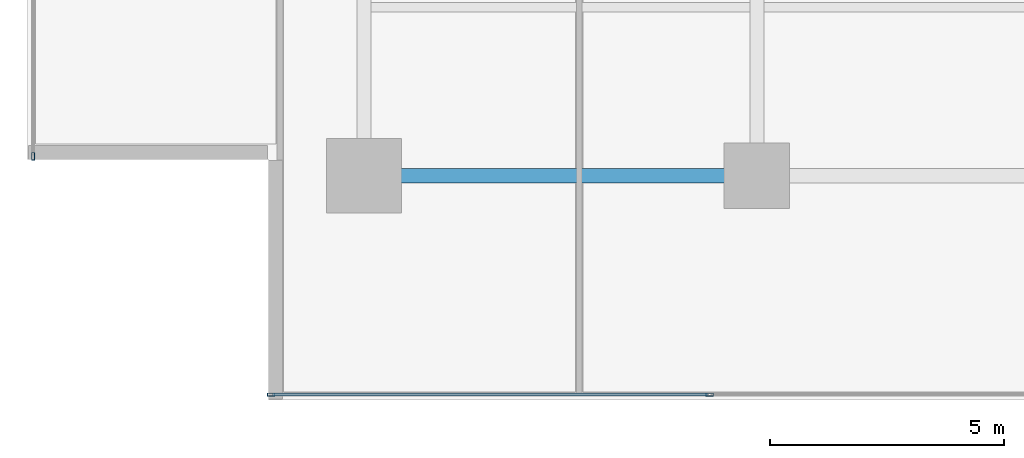
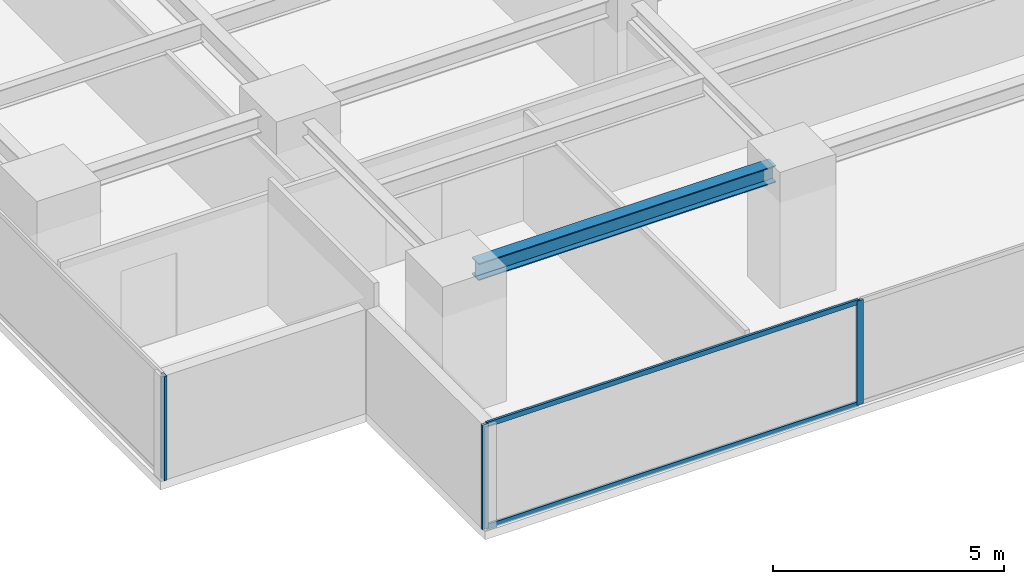
# One storey, part 2 of 28: 5 members, 1 beam, 2 elements without a shape of their own.
"""IFC4 building model written with IfcOpenShell, lengths in metres."""

from ifc_helpers import new_model, si_unit, direction, frame, origin, origin_2d, place, context, subcontext, project, spatial, hollow_rectangle, i_section, extrude, source, transform, mapped, material, layer, layer_set, material_profile, profile_set, type_object, element, aggregate, save


model = new_model("IFC4")

# Units and contexts
model_context = context("Model", 3, precision=1e-05, world=origin(), true_north=direction((0.0, 1.0)))
body_context = subcontext(model_context, "Body", "Model", "MODEL_VIEW")
ifc_project = project(units=[si_unit("LENGTHUNIT", "METRE"), si_unit("AREAUNIT", "SQUARE_METRE"), si_unit("VOLUMEUNIT", "CUBIC_METRE"), si_unit("PLANEANGLEUNIT", "RADIAN"), si_unit("MASSUNIT", "GRAM", prefix="KILO")], contexts=[model_context])

# Site, building, storey
site_placement = place(None, origin())
site = spatial("IfcSite", under=ifc_project, at=site_placement, CompositionType="ELEMENT")
building_placement = place(site_placement, origin())
building = spatial("IfcBuilding", under=site, at=building_placement, Name="Sumidabori Civic Tower", CompositionType="ELEMENT")
storey_placement = place(building_placement, frame((0.0, 0.0, 178.39990234375)))
storey = spatial("IfcBuildingStorey", under=building, at=storey_placement, Name="L46", CompositionType="ELEMENT", Elevation=178.39990234375)

# Beam
ifc_material_1 = material(Name="Steel SN490", Category="steel")
ifc_material_profile_1 = material_profile(ifc_material_1, i_section(OverallWidth=0.300048828125, OverallDepth=0.449951171875, WebThickness=0.013916015625, FlangeThickness=0.02587890625, at=origin_2d()), Name="HE 450 B")
ifc_profile_set_1 = profile_set([ifc_material_profile_1], Name="Steel SN490")
beam_type = type_object("IfcBeamType", Name="BM-GIRD-450", PredefinedType="BEAM", material=ifc_profile_set_1)
shared_shape_1 = source(origin(), body_context, "Body", "SweptSolid", [
    extrude(i_section(OverallWidth=0.300048828125, OverallDepth=0.449951171875, WebThickness=0.013916015625, FlangeThickness=0.02587890625, at=origin_2d()), origin(), (0.0, 0.0, 1.0), 7.440185546875),
])
beam_placement = place(storey_placement, frame((-16.320068359375, -18.0, 3.155029296875), z_axis=(1.0, 0.0, 0.0), x_axis=(0.0, 1.0, 0.0)))
element("IfcBeam", 1, at=beam_placement, inside=storey, type_object=beam_type, Name="Primary Girder L46 GX-01", PredefinedType="BEAM", context=body_context, shape_type="MappedRepresentation", body=[
    mapped(shared_shape_1, transform((0.0, 0.0, 0.0), x_axis=(1.0, 0.0, 0.0), y_axis=(0.0, 1.0, 0.0), z_axis=(0.0, 0.0, 1.0), scale=1.0)),
])

# Curtain wall, members
ifc_material_2 = material(Name="Anodised Bronze Aluminium AW-6063-T6", Category="aluminium")
ifc_layer = layer(ifc_material_2, 0.179931640625, Name="Anodised Bronze Aluminium AW-6063-T6")
ifc_layer_set = layer_set([ifc_layer], Name="Anodised Bronze Aluminium AW-6063-T6")
curtain_wall_type = type_object("IfcCurtainWallType", Name="CW-SYS-3", PredefinedType="NOTDEFINED", material=ifc_layer_set)
curtain_wall_1_placement = place(storey_placement, origin())
curtain_wall_1 = element("IfcCurtainWall", 2, at=curtain_wall_1_placement, inside=storey, type_object=curtain_wall_type, Name="Curtain Wall CW:L46:R01", PredefinedType="NOTDEFINED")
ifc_material_profile_2 = material_profile(ifc_material_2, hollow_rectangle(XDim=0.06494140625, YDim=0.159912109375, WallThickness=0.0048828125, at=origin_2d()), Name="ALU MULLION 160x65")
ifc_profile_set_2 = profile_set([ifc_material_profile_2], Name="Anodised Bronze Aluminium AW-6063-T6")
member_type_1 = type_object("IfcMemberType", Name="CW-MUL-160", PredefinedType="MULLION", material=ifc_profile_set_2)
shared_shape_2 = source(origin(), body_context, "Body", "SweptSolid", [
    extrude(hollow_rectangle(XDim=0.06494140625, YDim=0.159912109375, WallThickness=0.0048828125, at=origin_2d()), origin(), (0.0, 0.0, 1.0), 2.760009765625),
])
member_1_placement = place(storey_placement, frame((-18.78759765625, -22.679931640625, 0.0), z_axis=(0.0, 0.0, 1.0), x_axis=(0.0, 1.0, 0.0)))
member_1 = element("IfcMember", 3, at=member_1_placement, type_object=member_type_1, Name="CW-3 mullion 1", PredefinedType="MULLION", context=body_context, shape_type="MappedRepresentation", body=[
    mapped(shared_shape_2, transform((0.0, 0.0, 0.0), x_axis=(1.0, 0.0, 0.0), y_axis=(0.0, 1.0, 0.0), z_axis=(0.0, 0.0, 1.0), scale=1.0)),
])
member_2_placement = place(storey_placement, frame((-9.409912109375, -22.679931640625, 0.0), z_axis=(0.0, 0.0, 1.0), x_axis=(0.0, 1.0, 0.0)))
member_2 = element("IfcMember", 4, at=member_2_placement, type_object=member_type_1, Name="CW-3 mullion 2", PredefinedType="MULLION", context=body_context, shape_type="MappedRepresentation", body=[
    mapped(shared_shape_2, transform((0.0, 0.0, 0.0), x_axis=(1.0, 0.0, 0.0), y_axis=(0.0, 1.0, 0.0), z_axis=(0.0, 0.0, 1.0), scale=1.0)),
])

# Curtain wall, member
curtain_wall_2_placement = place(storey_placement, origin())
curtain_wall_2 = element("IfcCurtainWall", 5, at=curtain_wall_2_placement, inside=storey, type_object=curtain_wall_type, Name="Curtain Wall CW:L46:R10", PredefinedType="NOTDEFINED")
member_3_placement = place(storey_placement, frame((-23.8798828125, -17.58740234375, 0.0), z_axis=(0.0, 0.0, 1.0), x_axis=(1.0, 0.0, 0.0)))
member_3 = element("IfcMember", 6, at=member_3_placement, type_object=member_type_1, Name="CW-3 mullion 5", PredefinedType="MULLION", context=body_context, shape_type="MappedRepresentation", body=[
    mapped(shared_shape_2, transform((0.0, 0.0, 0.0), x_axis=(1.0, 0.0, 0.0), y_axis=(0.0, 1.0, 0.0), z_axis=(0.0, 0.0, 1.0), scale=1.0)),
])
aggregate(curtain_wall_2, [member_3])

# Member
ifc_material_profile_3 = material_profile(ifc_material_2, hollow_rectangle(XDim=0.06005859375, YDim=0.1298828125, WallThickness=0.0048828125, at=origin_2d()), Name="ALU TRANSOM 130x60")
ifc_profile_set_3 = profile_set([ifc_material_profile_3], Name="Anodised Bronze Aluminium AW-6063-T6")
member_type_2 = type_object("IfcMemberType", Name="CW-TRN-130", PredefinedType="USERDEFINED", material=ifc_profile_set_3)
shared_shape_3 = source(origin(), body_context, "Body", "SweptSolid", [
    extrude(hollow_rectangle(XDim=0.06005859375, YDim=0.1298828125, WallThickness=0.0048828125, at=origin_2d()), origin(), (0.0, 0.0, 1.0), 9.3125),
])
member_4_placement = place(storey_placement, frame((-18.7548828125, -22.679931640625, 0.030029296875), z_axis=(1.0, 0.0, 0.0), x_axis=(0.0, 1.0, 0.0)))
member_4 = element("IfcMember", 7, at=member_4_placement, type_object=member_type_2, Name="CW-3 transom 1.1", ObjectType="TRANSOM", PredefinedType="USERDEFINED", context=body_context, shape_type="MappedRepresentation", body=[
    mapped(shared_shape_3, transform((0.0, 0.0, 0.0), x_axis=(1.0, 0.0, 0.0), y_axis=(0.0, 1.0, 0.0), z_axis=(0.0, 0.0, 1.0), scale=1.0)),
])

member_5_placement = place(storey_placement, frame((-18.7548828125, -22.679931640625, 2.72998046875), z_axis=(1.0, 0.0, 0.0), x_axis=(0.0, 1.0, 0.0)))
member_5 = element("IfcMember", 8, at=member_5_placement, type_object=member_type_2, Name="CW-3 transom 1.2", ObjectType="TRANSOM", PredefinedType="USERDEFINED", context=body_context, shape_type="MappedRepresentation", body=[
    mapped(shared_shape_3, transform((0.0, 0.0, 0.0), x_axis=(1.0, 0.0, 0.0), y_axis=(0.0, 1.0, 0.0), z_axis=(0.0, 0.0, 1.0), scale=1.0)),
])

aggregate(curtain_wall_1, [member_1, member_2, member_4, member_5])

save(model, "model.ifc")
